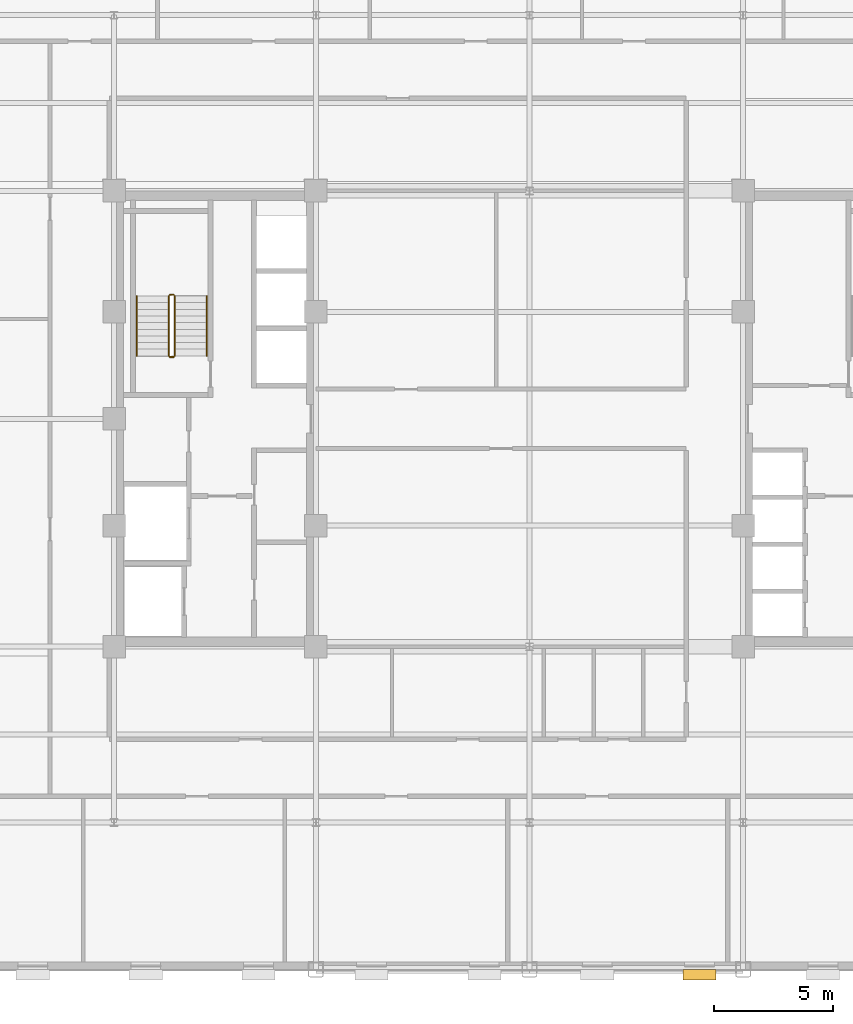
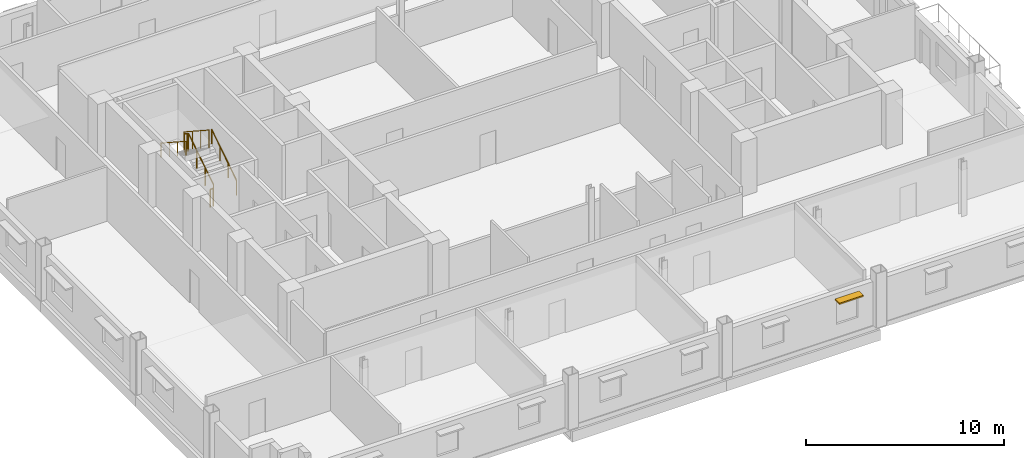
# One storey, part 12 of 14: 6 railings, 1 shading device.
"""IFC4 building model written with IfcOpenShell, lengths in metres."""

from ifc_helpers import new_model, si_unit, direction, frame, origin, origin_2d, place, context, subcontext, project, spatial, rectangle, circle, extrude, source, transform, mapped, material, type_object, type_shapes, element, save


model = new_model("IFC4")

# Units and contexts
model_context = context("Model", 3, precision=1e-05, world=origin(), true_north=direction((0.0, 1.0)))
body_context = subcontext(model_context, "Body", "Model", "MODEL_VIEW")
ifc_project = project(units=[si_unit("LENGTHUNIT", "METRE"), si_unit("AREAUNIT", "SQUARE_METRE"), si_unit("VOLUMEUNIT", "CUBIC_METRE"), si_unit("PLANEANGLEUNIT", "RADIAN"), si_unit("MASSUNIT", "GRAM", prefix="KILO")], contexts=[model_context])

# Site, building, storey
site_placement = place(None, origin())
site = spatial("IfcSite", under=ifc_project, at=site_placement, CompositionType="ELEMENT")
building_placement = place(site_placement, origin())
building = spatial("IfcBuilding", under=site, at=building_placement, Name="Nuvemarco Arch Tower", CompositionType="ELEMENT")
storey_placement = place(building_placement, frame((0.0, 0.0, 178.60009765625)))
storey = spatial("IfcBuildingStorey", under=building, at=storey_placement, Name="L47", CompositionType="ELEMENT", Elevation=178.60009765625)

# Railings
ifc_material_1 = material(Name="Brushed stainless steel handrail", Category="steel")
railing_type_1 = type_object("IfcRailingType", Name="RL-HANDRAIL-900", PredefinedType="HANDRAIL", material=ifc_material_1)
railing_1_placement = place(storey_placement, frame((-13.590087890625, 2.64990234375, 0.182373046875)))
element("IfcRailing", 1, at=railing_1_placement, inside=storey, type_object=railing_type_1, Name="L47 ST-1 stair handrail 1", PredefinedType="HANDRAIL", context=body_context, shape_type="SweptSolid", body=[
    extrude(circle(Radius=0.02392578125, at=origin_2d()), frame((0.0, 0.0, 0.8759765625), z_axis=(0.0, 0.837749427056, 0.546054848405), x_axis=(-1.0, 0.0, 0.0)), (0.0, 0.0, 1.0), 3.008056640625),
    extrude(circle(Radius=0.02099609375, at=origin_2d()), origin(), (0.0, 0.0, 1.0), 0.851806640625),
    extrude(circle(Radius=0.02099609375, at=origin_2d()), frame((0.0, 0.840087890625, 0.547607421875)), (0.0, 0.0, 1.0), 0.851806640625),
    extrude(circle(Radius=0.02099609375, at=origin_2d()), frame((0.0, 1.679931640625, 1.094970703125)), (0.0, 0.0, 1.0), 0.851806640625),
    extrude(circle(Radius=0.02099609375, at=origin_2d()), frame((0.0, 2.52001953125, 1.642578125)), (0.0, 0.0, 1.0), 0.851806640625),
])
railing_2_placement = place(storey_placement, frame((-16.550048828125, 5.169921875, 2.00732421875)))
element("IfcRailing", 2, at=railing_2_placement, inside=storey, type_object=railing_type_1, Name="L47 ST-1 stair handrail 2", PredefinedType="HANDRAIL", context=body_context, shape_type="SweptSolid", body=[
    extrude(circle(Radius=0.02392578125, at=origin_2d()), frame((0.0, 0.0, 0.8759765625), z_axis=(0.0, -0.837749427056, 0.546054848405), x_axis=(1.0, 0.0, 0.0)), (0.0, 0.0, 1.0), 3.008056640625),
    extrude(circle(Radius=0.02099609375, at=origin_2d()), origin(), (0.0, 0.0, 1.0), 0.851806640625),
    extrude(circle(Radius=0.02099609375, at=origin_2d()), frame((0.0, -0.840087890625, 0.547607421875)), (0.0, 0.0, 1.0), 0.851806640625),
    extrude(circle(Radius=0.02099609375, at=origin_2d()), frame((0.0, -1.679931640625, 1.094970703125)), (0.0, 0.0, 1.0), 0.851806640625),
    extrude(circle(Radius=0.02099609375, at=origin_2d()), frame((0.0, -2.52001953125, 1.642578125)), (0.0, 0.0, 1.0), 0.851806640625),
])
ifc_material_2 = material(Name="Painted balustrade steel S355", Category="steel")
railing_type_2 = type_object("IfcRailingType", Name="RL-STAIR-GUARD", PredefinedType="GUARDRAIL", material=ifc_material_2)
railing_3_placement = place(storey_placement, frame((-14.93994140625, 2.64990234375, 0.182373046875)))
element("IfcRailing", 3, at=railing_3_placement, inside=storey, type_object=railing_type_2, Name="L47 ST-1 stair guard 1", PredefinedType="GUARDRAIL", context=body_context, shape_type="SweptSolid", body=[
    extrude(circle(Radius=0.02392578125, at=origin_2d()), frame((0.0, 0.0, 1.09619140625), z_axis=(0.0, 0.837749427056, 0.546054848405), x_axis=(-1.0, 0.0, 0.0)), (0.0, 0.0, 1.0), 3.008056640625),
    extrude(circle(Radius=0.02099609375, at=origin_2d()), origin(), (0.0, 0.0, 1.0), 1.072021484375),
    extrude(circle(Radius=0.02099609375, at=origin_2d()), frame((0.0, 0.840087890625, 0.547607421875)), (0.0, 0.0, 1.0), 1.072021484375),
    extrude(circle(Radius=0.02099609375, at=origin_2d()), frame((0.0, 1.679931640625, 1.094970703125)), (0.0, 0.0, 1.0), 1.072021484375),
    extrude(circle(Radius=0.02099609375, at=origin_2d()), frame((0.0, 2.52001953125, 1.642578125)), (0.0, 0.0, 1.0), 1.072021484375),
])
railing_4_placement = place(storey_placement, frame((-14.989990234375, 5.219970703125, 1.824951171875)))
element("IfcRailing", 4, at=railing_4_placement, inside=storey, type_object=railing_type_2, Name="L47 ST-1 stair guard 2", PredefinedType="GUARDRAIL", context=body_context, shape_type="SweptSolid", body=[
    extrude(circle(Radius=0.02392578125, at=origin_2d()), frame((0.0, 0.0, 1.09619140625), z_axis=(-1.0, 0.0, 0.0), x_axis=(0.0, -1.0, 0.0)), (0.0, 0.0, 1.0), 0.159912109375),
    extrude(circle(Radius=0.02099609375, at=origin_2d()), origin(), (0.0, 0.0, 1.0), 1.072021484375),
    extrude(circle(Radius=0.02099609375, at=origin_2d()), frame((-0.159912109375, 0.0, 0.0)), (0.0, 0.0, 1.0), 1.072021484375),
])
railing_5_placement = place(storey_placement, frame((-15.199951171875, 5.169921875, 2.00732421875)))
element("IfcRailing", 5, at=railing_5_placement, inside=storey, type_object=railing_type_2, Name="L47 ST-1 stair guard 3", PredefinedType="GUARDRAIL", context=body_context, shape_type="SweptSolid", body=[
    extrude(circle(Radius=0.02392578125, at=origin_2d()), frame((0.0, 0.0, 1.09619140625), z_axis=(0.0, -0.837749427056, 0.546054848405), x_axis=(1.0, 0.0, 0.0)), (0.0, 0.0, 1.0), 3.008056640625),
    extrude(circle(Radius=0.02099609375, at=origin_2d()), origin(), (0.0, 0.0, 1.0), 1.072021484375),
    extrude(circle(Radius=0.02099609375, at=origin_2d()), frame((0.0, -0.840087890625, 0.547607421875)), (0.0, 0.0, 1.0), 1.072021484375),
    extrude(circle(Radius=0.02099609375, at=origin_2d()), frame((0.0, -1.679931640625, 1.094970703125)), (0.0, 0.0, 1.0), 1.072021484375),
    extrude(circle(Radius=0.02099609375, at=origin_2d()), frame((0.0, -2.52001953125, 1.642578125)), (0.0, 0.0, 1.0), 1.072021484375),
])
railing_6_placement = place(storey_placement, frame((-14.989990234375, 2.60009765625, 0.0)))
element("IfcRailing", 6, at=railing_6_placement, inside=storey, type_object=railing_type_2, Name="L47 ST-1 stair guard 4", PredefinedType="GUARDRAIL", context=body_context, shape_type="SweptSolid", body=[
    extrude(circle(Radius=0.02392578125, at=origin_2d()), frame((0.0, 0.0, 1.09619140625), z_axis=(-1.0, 0.0, 0.0), x_axis=(0.0, -1.0, 0.0)), (0.0, 0.0, 1.0), 0.159912109375),
    extrude(circle(Radius=0.02099609375, at=origin_2d()), origin(), (0.0, 0.0, 1.0), 1.072021484375),
    extrude(circle(Radius=0.02099609375, at=origin_2d()), frame((-0.159912109375, 0.0, 0.0)), (0.0, 0.0, 1.0), 1.072021484375),
])

# Shading device
ifc_material_3 = material(Name="Anodised aluminium 6063-T6", Category="aluminium")
shading_device_type = type_object("IfcShadingDeviceType", Name="SHD-BRISE-NARROW", PredefinedType="USERDEFINED", material=ifc_material_3)
shared_shape = source(origin(), body_context, "Body", "SweptSolid", [
    extrude(rectangle(XDim=1.39990234375, YDim=0.449951171875, at=origin_2d()), origin(), (0.0, 0.0, 1.0), 0.080078125),
])
type_shapes(shading_device_type, [shared_shape])
shading_device_placement = place(storey_placement, frame((7.1611328125, -23.4150390625, 2.324951171875), z_axis=(0.0, 0.0, 1.0), x_axis=(1.0, 0.0, 0.0)))
element("IfcShadingDevice", 7, at=shading_device_placement, inside=storey, type_object=shading_device_type, Name="L47 horizontal brise-soleil sunshade", ObjectType="SUNSHADE", PredefinedType="USERDEFINED", context=body_context, shape_type="MappedRepresentation", body=[
    mapped(shared_shape, transform((0.0, 0.0, 0.0), scale=1.0)),
])

save(model, "model.ifc")
